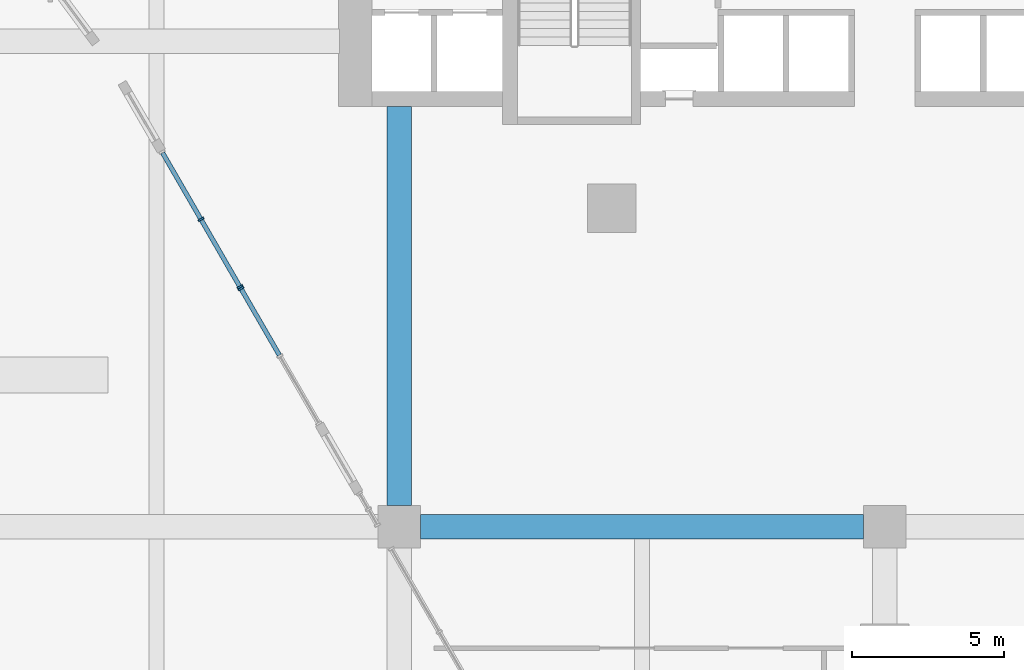
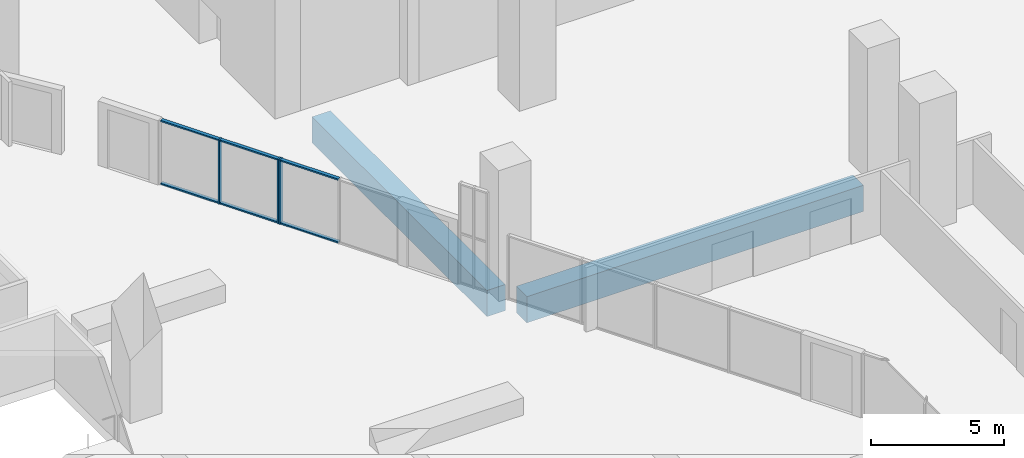
# One storey, part 8 of 25: 9 members, 2 beams, 2 elements without a shape of their own.
"""IFC4 building model written with IfcOpenShell, lengths in metres."""

from ifc_helpers import new_model, si_unit, direction, frame, origin, origin_2d, place, context, subcontext, project, spatial, rectangle, extrude, material, material_profile, profile_set, type_object, element, aggregate, save


model = new_model("IFC4")

# Units and contexts
model_context = context("Model", 3, precision=1e-05, world=origin(), true_north=direction((0.0, 1.0)))
body_context = subcontext(model_context, "Body", "Model", "MODEL_VIEW")
ifc_project = project(units=[si_unit("LENGTHUNIT", "METRE"), si_unit("AREAUNIT", "SQUARE_METRE"), si_unit("VOLUMEUNIT", "CUBIC_METRE"), si_unit("PLANEANGLEUNIT", "RADIAN"), si_unit("MASSUNIT", "GRAM", prefix="KILO")], contexts=[model_context])

# Site, building, storey
site_placement = place(None, origin())
site = spatial("IfcSite", under=ifc_project, at=site_placement, CompositionType="ELEMENT")
building_placement = place(site_placement, origin())
building = spatial("IfcBuilding", under=site, at=building_placement, Name="Calabash Gate Tower", CompositionType="ELEMENT")
storey_placement = place(building_placement, frame((0.0, 0.0, 40.0)))
storey = spatial("IfcBuildingStorey", under=building, at=storey_placement, Name="L05", CompositionType="ELEMENT", Elevation=40.0)

# Beams
ifc_material_1 = material(Name="Concrete C50/60", Category="concrete")
ifc_material_profile_1 = material_profile(ifc_material_1, rectangle(XDim=0.800048828125, YDim=1.199951171875, at=origin_2d()))
ifc_profile_set_1 = profile_set([ifc_material_profile_1], Name="Concrete C50/60")
beam_type = type_object("IfcBeamType", Name="Grid girder RC 800x1200 Concrete C50/60", PredefinedType="BEAM", material=ifc_profile_set_1)
beam_1_placement = place(storey_placement, frame((-16.0, -7.300048828125, -1.050048828125), z_axis=(0.0, 1.0, 0.0), x_axis=(-1.0, 0.0, 0.0)))
element("IfcBeam", 1, at=beam_1_placement, inside=storey, type_object=beam_type, Name="Grid girder L05 7", PredefinedType="BEAM", context=body_context, shape_type="SweptSolid", body=[
    extrude(rectangle(XDim=0.800048828125, YDim=1.199951171875, at=origin_2d()), origin(), (0.0, 0.0, 1.0), 13.153076171875),
])
beam_2_placement = place(storey_placement, frame((-15.300048828125, -8.0, -1.050048828125), z_axis=(1.0, 0.0, 0.0), x_axis=(0.0, 1.0, 0.0)))
element("IfcBeam", 2, at=beam_2_placement, inside=storey, type_object=beam_type, Name="Grid girder L05 35", PredefinedType="BEAM", context=body_context, shape_type="SweptSolid", body=[
    extrude(rectangle(XDim=0.800048828125, YDim=1.199951171875, at=origin_2d()), origin(), (0.0, 0.0, 1.0), 14.60009765625),
])

# Curtain wall, members
ifc_material_2 = material(Name="Anodised aluminium frame, bronze finish, clear laminated impact-rated glazing", Category="aluminium")
curtain_wall_type = type_object("IfcCurtainWallType", Name="Curtain wall CWF podium shopfront", PredefinedType="NOTDEFINED", material=ifc_material_2)
curtain_wall_1_placement = place(storey_placement, origin())
curtain_wall_1 = element("IfcCurtainWall", 3, at=curtain_wall_1_placement, inside=storey, type_object=curtain_wall_type, Name="Curtain wall CWF L05 lobby 0.0.0", PredefinedType="NOTDEFINED")
ifc_material_3 = material(Name="Anodised aluminium frame, bronze finish", Category="aluminium")
ifc_material_profile_2 = material_profile(ifc_material_3, rectangle(XDim=0.199951171875, YDim=0.06494140625, at=origin_2d()))
ifc_profile_set_2 = profile_set([ifc_material_profile_2], Name="Anodised aluminium frame, bronze finish")
member_type_1 = type_object("IfcMemberType", Name="Mullion CWF 65x200", PredefinedType="MULLION", material=ifc_profile_set_2)
member_1_placement = place(storey_placement, frame((-22.537841796875, 2.13134765625, 0.0), z_axis=(0.0, 0.0, 1.0), x_axis=(0.866025391907, 0.500000020572, 0.0)))
member_1 = element("IfcMember", 4, at=member_1_placement, type_object=member_type_1, Name="CWF mullion 2", PredefinedType="MULLION", context=body_context, shape_type="SweptSolid", body=[
    extrude(rectangle(XDim=0.199951171875, YDim=0.06494140625, at=origin_2d()), origin(), (0.0, 0.0, 1.0), 2.949951171875),
])
member_2_placement = place(storey_placement, frame((-21.25390625, -0.09228515625, 0.0), z_axis=(0.0, 0.0, 1.0), x_axis=(0.866025391907, 0.500000020572, 0.0)))
member_2 = element("IfcMember", 5, at=member_2_placement, type_object=member_type_1, Name="CWF mullion 3", PredefinedType="MULLION", context=body_context, shape_type="SweptSolid", body=[
    extrude(rectangle(XDim=0.199951171875, YDim=0.06494140625, at=origin_2d()), origin(), (0.0, 0.0, 1.0), 2.949951171875),
])

# Curtain wall, member
curtain_wall_2_placement = place(storey_placement, origin())
curtain_wall_2 = element("IfcCurtainWall", 6, at=curtain_wall_2_placement, inside=storey, type_object=curtain_wall_type, Name="Curtain wall CWF L05 lobby 0.0.1", PredefinedType="NOTDEFINED")
member_3_placement = place(storey_placement, frame((-21.221435546875, -0.1484375, 0.0), z_axis=(0.0, 0.0, 1.0), x_axis=(0.866025391907, 0.500000020572, 0.0)))
member_3 = element("IfcMember", 7, at=member_3_placement, type_object=member_type_1, Name="CWF mullion 1", PredefinedType="MULLION", context=body_context, shape_type="SweptSolid", body=[
    extrude(rectangle(XDim=0.199951171875, YDim=0.06494140625, at=origin_2d()), origin(), (0.0, 0.0, 1.0), 2.949951171875),
])

# Member
ifc_material_4 = material(Name="Anodised aluminium frame, bronze finish", Category="aluminium")
ifc_material_profile_3 = material_profile(ifc_material_4, rectangle(XDim=0.14990234375, YDim=0.06494140625, at=origin_2d()))
ifc_profile_set_3 = profile_set([ifc_material_profile_3], Name="Anodised aluminium frame, bronze finish")
member_type_2 = type_object("IfcMemberType", Name="Transom CWF 65x150", PredefinedType="USERDEFINED", material=ifc_profile_set_3)
member_4_placement = place(storey_placement, frame((-23.805419921875, 4.326904296875, 0.032470703125), z_axis=(0.500063042646, -0.865989003036, 0.0), x_axis=(0.865989003036, 0.500063042646, 0.0)))
member_4 = element("IfcMember", 8, at=member_4_placement, type_object=member_type_2, Name="CWF transom 1.1", ObjectType="TRANSOM", PredefinedType="USERDEFINED", context=body_context, shape_type="SweptSolid", body=[
    extrude(rectangle(XDim=0.14990234375, YDim=0.06494140625, at=origin_2d()), origin(), (0.0, 0.0, 1.0), 2.502685546875),
])

member_5_placement = place(storey_placement, frame((-23.805419921875, 4.326904296875, 2.91748046875), z_axis=(0.500063042646, -0.865989003036, 0.0), x_axis=(0.865989003036, 0.500063042646, 0.0)))
member_5 = element("IfcMember", 9, at=member_5_placement, type_object=member_type_2, Name="CWF transom 1.2", ObjectType="TRANSOM", PredefinedType="USERDEFINED", context=body_context, shape_type="SweptSolid", body=[
    extrude(rectangle(XDim=0.14990234375, YDim=0.06494140625, at=origin_2d()), origin(), (0.0, 0.0, 1.0), 2.502685546875),
])

member_6_placement = place(storey_placement, frame((-22.521484375, 2.103271484375, 0.032470703125), z_axis=(0.499989877761, -0.866031247783, 0.0), x_axis=(0.866031247783, 0.499989877761, 0.0)))
member_6 = element("IfcMember", 10, at=member_6_placement, type_object=member_type_2, Name="CWF transom 2.1", ObjectType="TRANSOM", PredefinedType="USERDEFINED", context=body_context, shape_type="SweptSolid", body=[
    extrude(rectangle(XDim=0.14990234375, YDim=0.06494140625, at=origin_2d()), origin(), (0.0, 0.0, 1.0), 2.50244140625),
])

member_7_placement = place(storey_placement, frame((-22.521484375, 2.103271484375, 2.91748046875), z_axis=(0.499989877761, -0.866031247783, 0.0), x_axis=(0.866031247783, 0.499989877761, 0.0)))
member_7 = element("IfcMember", 11, at=member_7_placement, type_object=member_type_2, Name="CWF transom 2.2", ObjectType="TRANSOM", PredefinedType="USERDEFINED", context=body_context, shape_type="SweptSolid", body=[
    extrude(rectangle(XDim=0.14990234375, YDim=0.06494140625, at=origin_2d()), origin(), (0.0, 0.0, 1.0), 2.50244140625),
])

aggregate(curtain_wall_1, [member_1, member_2, member_4, member_5, member_6, member_7])

member_8_placement = place(storey_placement, frame((-21.205078125, -0.1767578125, 0.032470703125), z_axis=(0.499989877761, -0.866031247783, 0.0), x_axis=(0.866031247783, 0.499989877761, 0.0)))
member_8 = element("IfcMember", 12, at=member_8_placement, type_object=member_type_2, Name="CWF transom 1.1", ObjectType="TRANSOM", PredefinedType="USERDEFINED", context=body_context, shape_type="SweptSolid", body=[
    extrude(rectangle(XDim=0.14990234375, YDim=0.06494140625, at=origin_2d()), origin(), (0.0, 0.0, 1.0), 2.50244140625),
])

member_9_placement = place(storey_placement, frame((-21.205078125, -0.1767578125, 2.91748046875), z_axis=(0.499989877761, -0.866031247783, 0.0), x_axis=(0.866031247783, 0.499989877761, 0.0)))
member_9 = element("IfcMember", 13, at=member_9_placement, type_object=member_type_2, Name="CWF transom 1.2", ObjectType="TRANSOM", PredefinedType="USERDEFINED", context=body_context, shape_type="SweptSolid", body=[
    extrude(rectangle(XDim=0.14990234375, YDim=0.06494140625, at=origin_2d()), origin(), (0.0, 0.0, 1.0), 2.50244140625),
])

aggregate(curtain_wall_2, [member_3, member_8, member_9])

save(model, "model.ifc")
